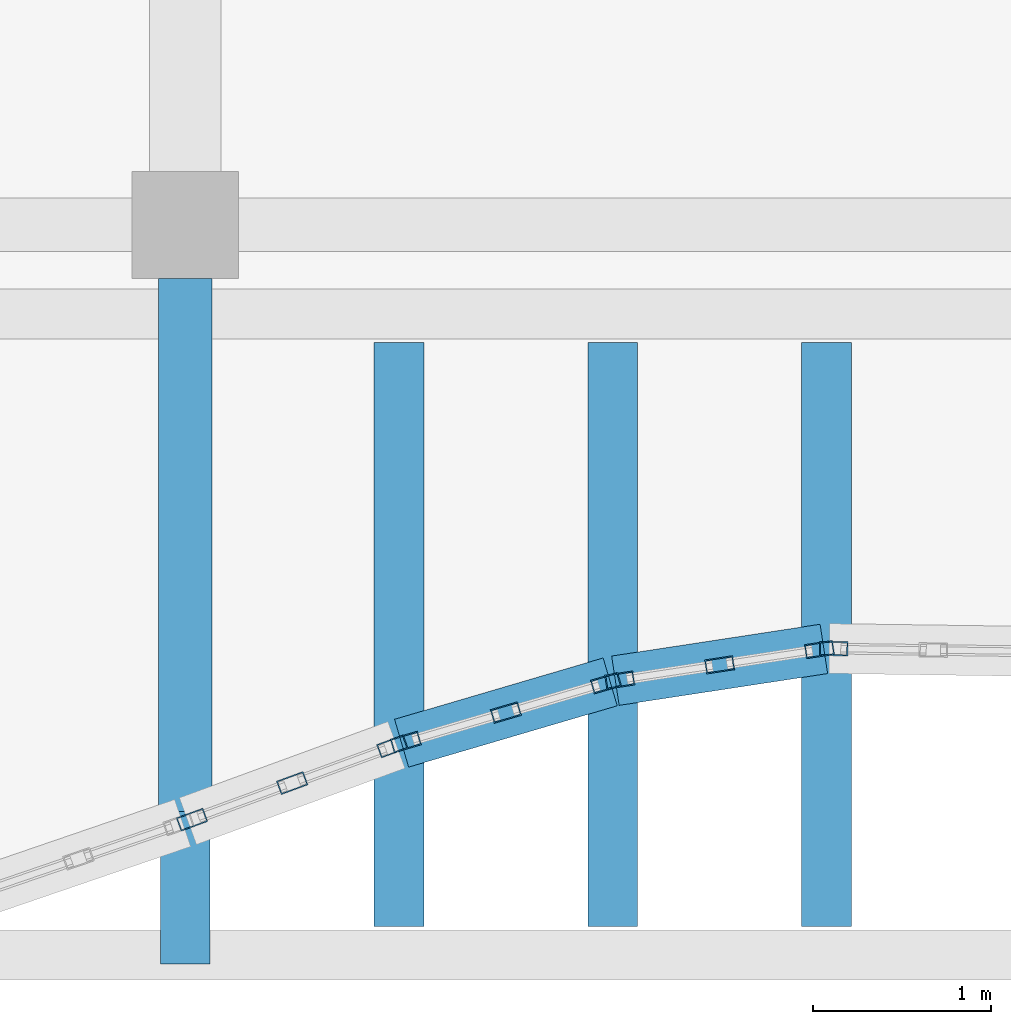
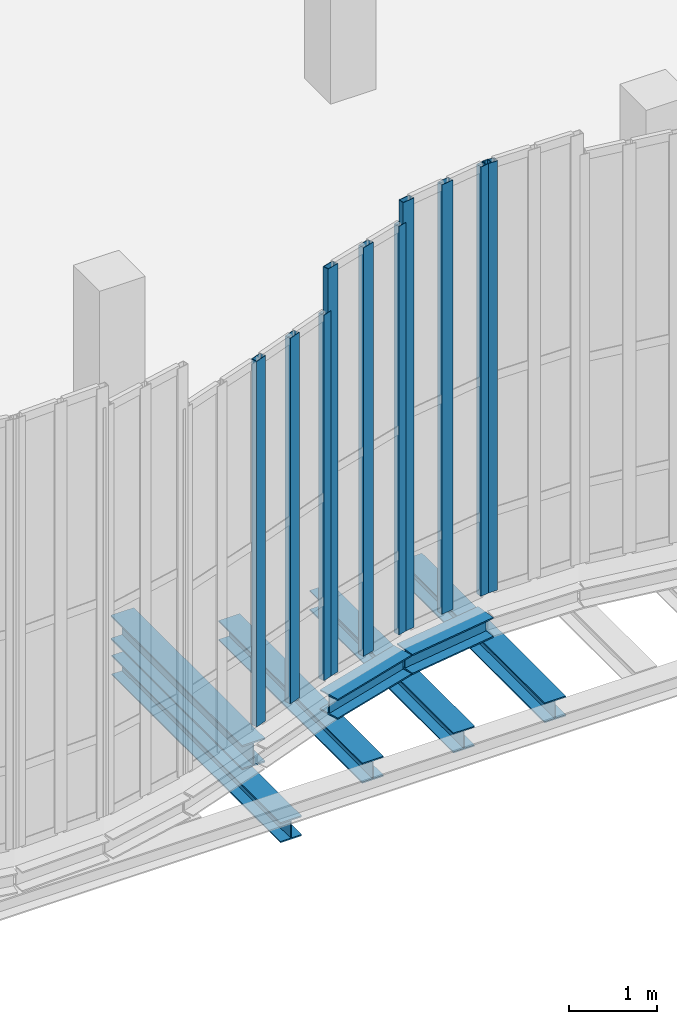
# One storey, part 17 of 76: 10 members, 7 beams, 4 elements without a shape of their own.
"""IFC4 building model written with IfcOpenShell, lengths in metres."""

from ifc_helpers import new_model, si_unit, direction, frame, origin, origin_2d, place, context, subcontext, project, spatial, hollow_rectangle, i_section, extrude, material, layer, layer_set, material_profile, profile_set, type_object, element, aggregate, save


model = new_model("IFC4")

# Units and contexts
model_context = context("Model", 3, precision=1e-05, world=origin(), true_north=direction((0.0, 1.0)))
body_context = subcontext(model_context, "Body", "Model", "MODEL_VIEW")
ifc_project = project(units=[si_unit("LENGTHUNIT", "METRE"), si_unit("AREAUNIT", "SQUARE_METRE"), si_unit("VOLUMEUNIT", "CUBIC_METRE"), si_unit("PLANEANGLEUNIT", "RADIAN"), si_unit("MASSUNIT", "GRAM", prefix="KILO"), si_unit("THERMODYNAMICTEMPERATUREUNIT", "KELVIN"), si_unit("POWERUNIT", "WATT")], contexts=[model_context])

# Site, building, storey
site_placement = place(None, origin())
site = spatial("IfcSite", under=ifc_project, at=site_placement, CompositionType="ELEMENT")
building_placement = place(site_placement, origin())
building = spatial("IfcBuilding", under=site, at=building_placement, Name="Kaldorven Railside Theatre", CompositionType="ELEMENT")
storey_placement = place(building_placement, frame((0.0, 0.0, 14.39990234375)))
storey = spatial("IfcBuildingStorey", under=building, at=storey_placement, Name="L03", CompositionType="ELEMENT", Elevation=14.39990234375)

# Beams
ifc_material_1 = material(Name="Steel S355", Category="steel")
ifc_material_profile_1 = material_profile(ifc_material_1, i_section(OverallWidth=0.280029296875, OverallDepth=0.280029296875, WebThickness=0.010498046875, FlangeThickness=0.01806640625, at=origin_2d()), Name="HEB 280")
ifc_profile_set_1 = profile_set([ifc_material_profile_1], Name="Steel S355")
beam_type_1 = type_object("IfcBeamType", Name="BM-HEB280", PredefinedType="SPANDREL", material=ifc_profile_set_1)
beam_1_placement = place(storey_placement, frame((80.0, 15.050048828125, -0.97998046875), z_axis=(0.0, 1.0, 0.0), x_axis=(-1.0, 0.0, 0.0)))
element("IfcBeam", 1, at=beam_1_placement, inside=storey, type_object=beam_type_1, Name="L03 Sinusoidal Lower Cantilever Girder FOB-K032", PredefinedType="SPANDREL", context=body_context, shape_type="SweptSolid", body=[
    extrude(i_section(OverallWidth=0.280029296875, OverallDepth=0.280029296875, WebThickness=0.010498046875, FlangeThickness=0.01806640625, at=origin_2d()), origin(), (0.0, 0.0, 1.0), 3.849853515625),
])
beam_2_placement = place(storey_placement, frame((81.21435546875, 16.28955078125, -0.419921875), z_axis=(0.959413259183, 0.282003897321, 0.0), x_axis=(-0.282003897321, 0.959413259183, 0.0)))
element("IfcBeam", 2, at=beam_2_placement, inside=storey, type_object=beam_type_1, Name="L03 Sinusoidal Flute Edge Spandrel FSB-182", PredefinedType="SPANDREL", context=body_context, shape_type="SweptSolid", body=[
    extrude(i_section(OverallWidth=0.280029296875, OverallDepth=0.280029296875, WebThickness=0.010498046875, FlangeThickness=0.01806640625, at=origin_2d()), origin(), (0.0, 0.0, 1.0), 1.220703125),
])
beam_3_placement = place(storey_placement, frame((81.199951171875, 15.260009765625, -0.699951171875), z_axis=(0.0, 1.0, 0.0), x_axis=(-1.0, 0.0, 0.0)))
element("IfcBeam", 3, at=beam_3_placement, inside=storey, type_object=beam_type_1, Name="L03 Sinusoidal Diaphragm Rib Outrigger FOB-M182", PredefinedType="SPANDREL", context=body_context, shape_type="SweptSolid", body=[
    extrude(i_section(OverallWidth=0.280029296875, OverallDepth=0.280029296875, WebThickness=0.010498046875, FlangeThickness=0.01806640625, at=origin_2d()), origin(), (0.0, 0.0, 1.0), 3.280029296875),
])
beam_4_placement = place(storey_placement, frame((82.414794921875, 16.640380859375, -0.419921875), z_axis=(0.988573454696, 0.150739923943, 0.0), x_axis=(-0.150739923943, 0.988573454696, 0.0)))
element("IfcBeam", 4, at=beam_4_placement, inside=storey, type_object=beam_type_1, Name="L03 Sinusoidal Flute Edge Spandrel FSB-183", PredefinedType="SPANDREL", context=body_context, shape_type="SweptSolid", body=[
    extrude(i_section(OverallWidth=0.280029296875, OverallDepth=0.280029296875, WebThickness=0.010498046875, FlangeThickness=0.01806640625, at=origin_2d()), origin(), (0.0, 0.0, 1.0), 1.183837890625),
])
for number, where, z_axis, x_axis, name in (
    (5, (82.39990234375, 15.260009765625, -0.699951171875), (0.0, 1.0, 0.0), (-1.0, 0.0, 0.0), "L03 Sinusoidal Diaphragm Rib Outrigger FOB-M183"),
    (6, (83.60009765625, 15.260009765625, -0.699951171875), (0.0, 1.0, 0.0), (-1.0, 0.0, 0.0), "L03 Sinusoidal Diaphragm Rib Outrigger FOB-M184"),
):
    element("IfcBeam", number, at=place(storey_placement, frame(where, z_axis=z_axis, x_axis=x_axis)), inside=storey, type_object=beam_type_1, Name=name, PredefinedType="SPANDREL", context=body_context, shape_type="SweptSolid", body=[
        extrude(i_section(OverallWidth=0.280029296875, OverallDepth=0.280029296875, WebThickness=0.010498046875, FlangeThickness=0.01806640625, at=origin_2d()), origin(), (0.0, 0.0, 1.0), 3.280029296875),
    ])
ifc_material_profile_2 = material_profile(ifc_material_1, i_section(OverallWidth=0.300048828125, OverallDepth=0.340087890625, WebThickness=0.011962890625, FlangeThickness=0.021484375, at=origin_2d()), Name="HEB 340")
ifc_profile_set_2 = profile_set([ifc_material_profile_2], Name="Steel S355")
beam_type_2 = type_object("IfcBeamType", Name="BM-HEB340", PredefinedType="SPANDREL", material=ifc_profile_set_2)
beam_5_placement = place(storey_placement, frame((80.0, 15.906494140625, -0.449951171875), z_axis=(0.0, 1.0, 0.0), x_axis=(-1.0, 0.0, 0.0)))
element("IfcBeam", 7, at=beam_5_placement, inside=storey, type_object=beam_type_2, Name="L03 Sinusoidal Veil Outrigger FOB-3080", PredefinedType="SPANDREL", context=body_context, shape_type="SweptSolid", body=[
    extrude(i_section(OverallWidth=0.300048828125, OverallDepth=0.340087890625, WebThickness=0.011962890625, FlangeThickness=0.021484375, at=origin_2d()), origin(), (0.0, 0.0, 1.0), 2.993408203125),
])

# Curtain wall, members
ifc_material_2 = material(Name="Low-E laminated solar-control glass", Category="glass")
ifc_layer_1 = layer(ifc_material_2, 0.159912109375, Name="Low-E laminated solar-control glass")
ifc_layer_set_1 = layer_set([ifc_layer_1], Name="Low-E laminated solar-control glass")
curtain_wall_type_1 = type_object("IfcCurtainWallType", Name="CWT-08", PredefinedType="USERDEFINED", material=ifc_layer_set_1)
curtain_wall_1_placement = place(storey_placement, origin())
curtain_wall_1 = element("IfcCurtainWall", 8, at=curtain_wall_1_placement, inside=storey, type_object=curtain_wall_type_1, Name="Sinusoidal Fluted Curtain Wall CW-L03-S37", ObjectType="FLUTED GLAZING", PredefinedType="USERDEFINED")
ifc_material_3 = material(Name="Anodised bronze aluminium", Category="aluminium")
ifc_material_profile_3 = material_profile(ifc_material_3, hollow_rectangle(XDim=0.080078125, YDim=0.159912109375, WallThickness=0.00634765625, at=origin_2d()), Name="RHS 160x80x6.3")
ifc_profile_set_3 = profile_set([ifc_material_profile_3], Name="Anodised bronze aluminium")
member_type = type_object("IfcMemberType", Name="CWM-160", PredefinedType="MULLION", material=ifc_profile_set_3)
member_1_placement = place(storey_placement, frame((80.03759765625, 15.860107421875, 0.0), z_axis=(0.0, 0.0, 1.0), x_axis=(-0.343495670631, 0.939154260097, 0.0)))
member_1 = element("IfcMember", 9, at=member_1_placement, type_object=member_type, Name="CW-L03-S37 mullion 1", PredefinedType="MULLION", context=body_context, shape_type="SweptSolid", body=[
    extrude(hollow_rectangle(XDim=0.080078125, YDim=0.159912109375, WallThickness=0.00634765625, at=origin_2d()), origin(), (0.0, 0.0, 1.0), 5.090087890625),
])
member_2_placement = place(storey_placement, frame((80.60009765625, 16.06591796875, 0.0), z_axis=(0.0, 0.0, 1.0), x_axis=(-0.343495670631, 0.939154260097, 0.0)))
member_2 = element("IfcMember", 10, at=member_2_placement, type_object=member_type, Name="CW-L03-S37 mullion 2", PredefinedType="MULLION", context=body_context, shape_type="SweptSolid", body=[
    extrude(hollow_rectangle(XDim=0.080078125, YDim=0.159912109375, WallThickness=0.00634765625, at=origin_2d()), origin(), (0.0, 0.0, 1.0), 5.090087890625),
])
member_3_placement = place(storey_placement, frame((81.162353515625, 16.271484375, 0.0), z_axis=(0.0, 0.0, 1.0), x_axis=(-0.343495670631, 0.939154260097, 0.0)))
member_3 = element("IfcMember", 11, at=member_3_placement, type_object=member_type, Name="CW-L03-S37 mullion 3", PredefinedType="MULLION", context=body_context, shape_type="SweptSolid", body=[
    extrude(hollow_rectangle(XDim=0.080078125, YDim=0.159912109375, WallThickness=0.00634765625, at=origin_2d()), origin(), (0.0, 0.0, 1.0), 5.090087890625),
])
aggregate(curtain_wall_1, [member_1, member_2, member_3])

ifc_layer_2 = layer(ifc_material_2, 0.159912109375, Name="Low-E laminated solar-control glass")
ifc_layer_set_2 = layer_set([ifc_layer_2], Name="Low-E laminated solar-control glass")
curtain_wall_type_2 = type_object("IfcCurtainWallType", Name="CWT-17", PredefinedType="USERDEFINED", material=ifc_layer_set_2)
curtain_wall_2_placement = place(storey_placement, origin())
curtain_wall_2 = element("IfcCurtainWall", 12, at=curtain_wall_2_placement, inside=storey, type_object=curtain_wall_type_2, Name="Sinusoidal Fluted Curtain Wall CW-L03-S38", ObjectType="FLUTED GLAZING", PredefinedType="USERDEFINED")
member_4_placement = place(storey_placement, frame((81.23828125, 16.296630859375, 0.0), z_axis=(0.0, 0.0, 1.0), x_axis=(-0.281988847266, 0.959417682773, 0.0)))
member_4 = element("IfcMember", 13, at=member_4_placement, type_object=member_type, Name="CW-L03-S38 mullion 1", PredefinedType="MULLION", context=body_context, shape_type="SweptSolid", body=[
    extrude(hollow_rectangle(XDim=0.080078125, YDim=0.159912109375, WallThickness=0.00634765625, at=origin_2d()), origin(), (0.0, 0.0, 1.0), 5.690185546875),
])
member_5_placement = place(storey_placement, frame((81.800048828125, 16.461669921875, 0.0), z_axis=(0.0, 0.0, 1.0), x_axis=(-0.281988847266, 0.959417682773, 0.0)))
member_5 = element("IfcMember", 14, at=member_5_placement, type_object=member_type, Name="CW-L03-S38 mullion 2", PredefinedType="MULLION", context=body_context, shape_type="SweptSolid", body=[
    extrude(hollow_rectangle(XDim=0.080078125, YDim=0.159912109375, WallThickness=0.00634765625, at=origin_2d()), origin(), (0.0, 0.0, 1.0), 5.690185546875),
])
member_6_placement = place(storey_placement, frame((82.361572265625, 16.626708984375, 0.0), z_axis=(0.0, 0.0, 1.0), x_axis=(-0.281988847266, 0.959417682773, 0.0)))
member_6 = element("IfcMember", 15, at=member_6_placement, type_object=member_type, Name="CW-L03-S38 mullion 3", PredefinedType="MULLION", context=body_context, shape_type="SweptSolid", body=[
    extrude(hollow_rectangle(XDim=0.080078125, YDim=0.159912109375, WallThickness=0.00634765625, at=origin_2d()), origin(), (0.0, 0.0, 1.0), 5.690185546875),
])
aggregate(curtain_wall_2, [member_4, member_5, member_6])

ifc_layer_3 = layer(ifc_material_2, 0.159912109375, Name="Low-E laminated solar-control glass")
ifc_layer_set_3 = layer_set([ifc_layer_3], Name="Low-E laminated solar-control glass")
curtain_wall_type_3 = type_object("IfcCurtainWallType", Name="CWT-15", PredefinedType="USERDEFINED", material=ifc_layer_set_3)
curtain_wall_3_placement = place(storey_placement, origin())
curtain_wall_3 = element("IfcCurtainWall", 16, at=curtain_wall_3_placement, inside=storey, type_object=curtain_wall_type_3, Name="Sinusoidal Fluted Curtain Wall CW-L03-S39", ObjectType="FLUTED GLAZING", PredefinedType="USERDEFINED")
member_7_placement = place(storey_placement, frame((82.439453125, 16.64404296875, 0.0), z_axis=(0.0, 0.0, 1.0), x_axis=(-0.150918064648, 0.988546274973, 0.0)))
member_7 = element("IfcMember", 17, at=member_7_placement, type_object=member_type, Name="CW-L03-S39 mullion 1", PredefinedType="MULLION", context=body_context, shape_type="SweptSolid", body=[
    extrude(hollow_rectangle(XDim=0.080078125, YDim=0.159912109375, WallThickness=0.00634765625, at=origin_2d()), origin(), (0.0, 0.0, 1.0), 5.97998046875),
])
member_8_placement = place(storey_placement, frame((83.0, 16.7294921875, 0.0), z_axis=(0.0, 0.0, 1.0), x_axis=(-0.150918064648, 0.988546274973, 0.0)))
member_8 = element("IfcMember", 18, at=member_8_placement, type_object=member_type, Name="CW-L03-S39 mullion 2", PredefinedType="MULLION", context=body_context, shape_type="SweptSolid", body=[
    extrude(hollow_rectangle(XDim=0.080078125, YDim=0.159912109375, WallThickness=0.00634765625, at=origin_2d()), origin(), (0.0, 0.0, 1.0), 5.97998046875),
])
member_9_placement = place(storey_placement, frame((83.560546875, 16.815185546875, 0.0), z_axis=(0.0, 0.0, 1.0), x_axis=(-0.150918064648, 0.988546274973, 0.0)))
member_9 = element("IfcMember", 19, at=member_9_placement, type_object=member_type, Name="CW-L03-S39 mullion 3", PredefinedType="MULLION", context=body_context, shape_type="SweptSolid", body=[
    extrude(hollow_rectangle(XDim=0.080078125, YDim=0.159912109375, WallThickness=0.00634765625, at=origin_2d()), origin(), (0.0, 0.0, 1.0), 5.97998046875),
])
aggregate(curtain_wall_3, [member_7, member_8, member_9])

# Curtain wall, member
ifc_layer_4 = layer(ifc_material_2, 0.159912109375, Name="Low-E laminated solar-control glass")
ifc_layer_set_4 = layer_set([ifc_layer_4], Name="Low-E laminated solar-control glass")
curtain_wall_type_4 = type_object("IfcCurtainWallType", Name="CWT-10", PredefinedType="USERDEFINED", material=ifc_layer_set_4)
curtain_wall_4_placement = place(storey_placement, origin())
curtain_wall_4 = element("IfcCurtainWall", 20, at=curtain_wall_4_placement, inside=storey, type_object=curtain_wall_type_4, Name="Sinusoidal Fluted Curtain Wall CW-L03-S40", ObjectType="FLUTED GLAZING", PredefinedType="USERDEFINED")
member_10_placement = place(storey_placement, frame((83.639892578125, 16.820556640625, 0.0), z_axis=(0.0, 0.0, 1.0), x_axis=(0.013832009936, 0.999904333174, 0.0)))
member_10 = element("IfcMember", 21, at=member_10_placement, type_object=member_type, Name="CW-L03-S40 mullion 1", PredefinedType="MULLION", context=body_context, shape_type="SweptSolid", body=[
    extrude(hollow_rectangle(XDim=0.080078125, YDim=0.159912109375, WallThickness=0.00634765625, at=origin_2d()), origin(), (0.0, 0.0, 1.0), 5.97998046875),
])
aggregate(curtain_wall_4, [member_10])

save(model, "model.ifc")
